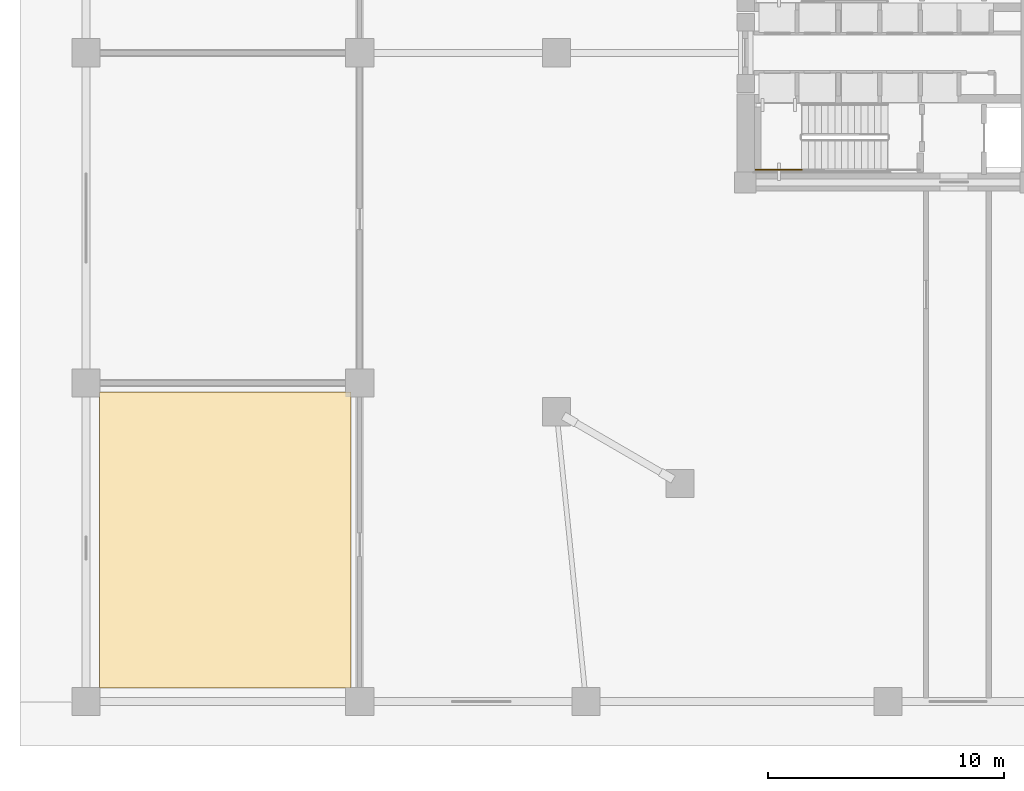
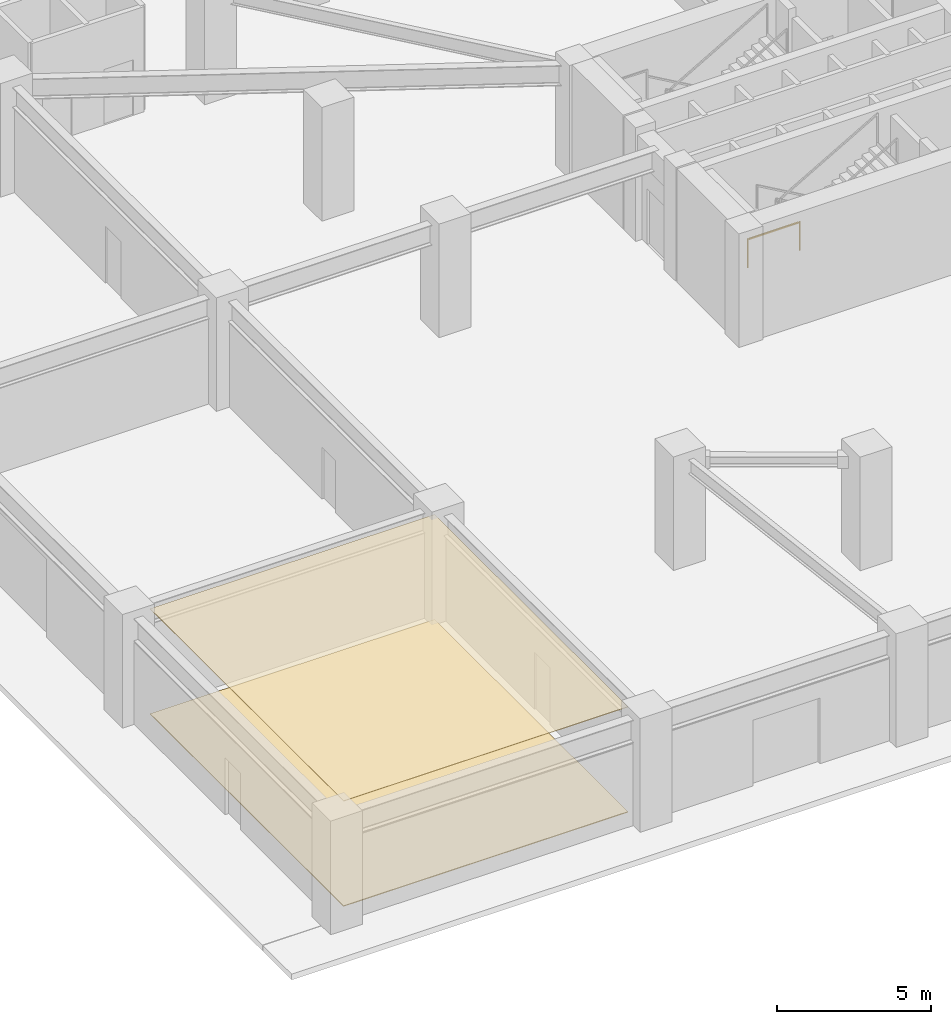
# One storey, part 9 of 18: 2 coverings, 1 railing.
"""IFC4 building model written with IfcOpenShell, lengths in metres."""

from ifc_helpers import new_model, si_unit, direction, frame, origin, origin_2d, place, context, subcontext, project, spatial, polyline, rectangle, outline, extrude, material, layer, layer_set, type_object, element, save


model = new_model("IFC4")

# Units and contexts
model_context = context("Model", 3, precision=1e-05, world=origin(), true_north=direction((0.0, 1.0)))
body_context = subcontext(model_context, "Body", "Model", "MODEL_VIEW")
ifc_project = project(units=[si_unit("LENGTHUNIT", "METRE"), si_unit("AREAUNIT", "SQUARE_METRE"), si_unit("VOLUMEUNIT", "CUBIC_METRE"), si_unit("PLANEANGLEUNIT", "RADIAN"), si_unit("MASSUNIT", "GRAM", prefix="KILO")], contexts=[model_context])

# Site, building, storey
site_placement = place(None, origin())
site = spatial("IfcSite", under=ifc_project, at=site_placement, CompositionType="ELEMENT")
building_placement = place(site_placement, origin())
building = spatial("IfcBuilding", under=site, at=building_placement, Name="Yunling Apex Tower", CompositionType="ELEMENT")
storey_placement = place(building_placement, origin())
storey = spatial("IfcBuildingStorey", under=building, at=storey_placement, Name="L01", CompositionType="ELEMENT", Elevation=0.0)

# Coverings
ifc_material_1 = material(Name="Acoustic mineral fibre ceiling")
ifc_layer_1 = layer(ifc_material_1, 0.02490234375)
ifc_layer_set_1 = layer_set([ifc_layer_1], Name="Acoustic mineral fibre ceiling")
covering_type_1 = type_object("IfcCoveringType", Name="CV-CLG-1", PredefinedType="CEILING", material=ifc_layer_set_1)
covering_1_placement = place(storey_placement, frame((0.0, 0.0, 4.1650390625)))
element("IfcCovering", 1, at=covering_1_placement, inside=storey, type_object=covering_type_1, Name="CV-CL-SP-L01-RET-2", PredefinedType="CEILING", context=body_context, shape_type="SweptSolid", body=[
    extrude(outline(polyline([(-22.77001953125, -26.929931640625), (-33.429931640625, -26.929931640625), (-33.429931640625, -14.3701171875), (-22.77001953125, -14.3701171875), (-22.77001953125, -26.929931640625)])), origin(), (0.0, 0.0, 1.0), 0.02490234375),
])
ifc_material_2 = material(Name="Polished granite stone", Category="masonry")
ifc_layer_2 = layer(ifc_material_2, 0.030029296875)
ifc_layer_set_2 = layer_set([ifc_layer_2], Name="Polished granite stone")
covering_type_2 = type_object("IfcCoveringType", Name="CV-FLR-1", PredefinedType="FLOORING", material=ifc_layer_set_2)
covering_2_placement = place(storey_placement, origin())
element("IfcCovering", 2, at=covering_2_placement, inside=storey, type_object=covering_type_2, Name="CV-FL-SP-L01-RET-2", PredefinedType="FLOORING", context=body_context, shape_type="SweptSolid", body=[
    extrude(outline(polyline([(-22.77001953125, -26.929931640625), (-33.429931640625, -26.929931640625), (-33.429931640625, -14.3701171875), (-22.77001953125, -14.3701171875), (-22.77001953125, -26.929931640625)])), origin(), (0.0, 0.0, 1.0), 0.030029296875),
])

# Railing
ifc_material_3 = material(Name="Steel Q355B", Category="steel")
railing_type = type_object("IfcRailingType", Name="RL-GRD-1150", PredefinedType="GUARDRAIL", material=ifc_material_3)
railing_placement = place(storey_placement, frame((-3.64990234375, -4.9599609375, 2.25)))
element("IfcRailing", 3, at=railing_placement, inside=storey, type_object=railing_type, Name="L01 ST-2 stair guard 3", PredefinedType="GUARDRAIL", context=body_context, shape_type="SweptSolid", body=[
    extrude(rectangle(XDim=0.0439453125, YDim=0.0439453125, at=origin_2d()), origin(), (0.0, 0.0, 1.0), 1.14990234375),
    extrude(rectangle(XDim=0.0439453125, YDim=0.0439453125, at=origin_2d()), frame((-1.9501953125, 0.0, 0.0)), (0.0, 0.0, 1.0), 1.14990234375),
    extrude(rectangle(XDim=0.050048828125, YDim=0.050048828125, at=origin_2d()), frame((-0.038330078125, 0.0, 1.125), z_axis=(-1.0, 0.0, 0.0), x_axis=(0.0, -1.0, 0.0)), (0.0, 0.0, 1.0), 1.87353515625),
])

save(model, "model.ifc")
